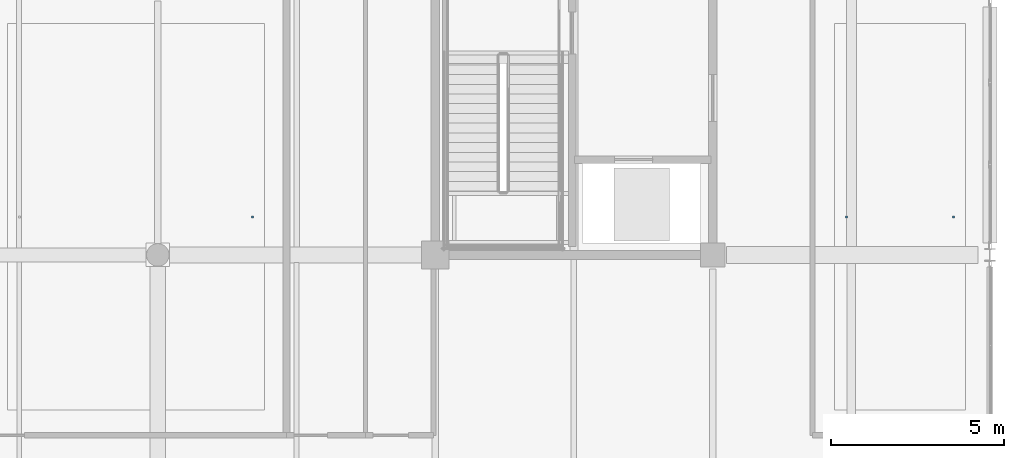
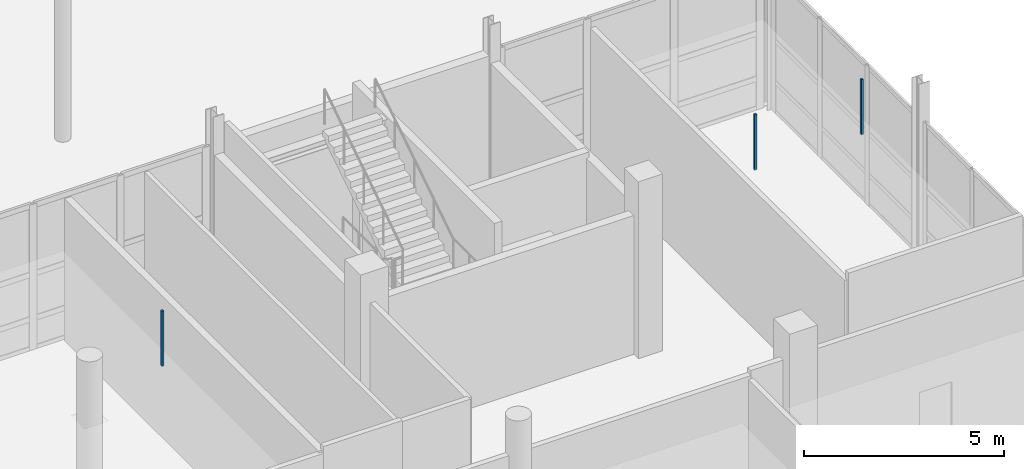
# One storey, part 95 of 126: 3 discrete accessories.
"""IFC4 building model written with IfcOpenShell, lengths in metres."""

from ifc_helpers import new_model, si_unit, direction, frame, origin, origin_2d, place, context, subcontext, project, spatial, rectangle, extrude, material, type_object, element, save


model = new_model("IFC4")

# Units and contexts
model_context = context("Model", 3, precision=1e-05, world=origin(), true_north=direction((0.0, 1.0)))
body_context = subcontext(model_context, "Body", "Model", "MODEL_VIEW")
ifc_project = project(units=[si_unit("LENGTHUNIT", "METRE"), si_unit("AREAUNIT", "SQUARE_METRE"), si_unit("VOLUMEUNIT", "CUBIC_METRE"), si_unit("PLANEANGLEUNIT", "RADIAN"), si_unit("MASSUNIT", "GRAM", prefix="KILO")], contexts=[model_context])

# Site, building, storey
site_placement = place(None, origin())
site = spatial("IfcSite", under=ifc_project, at=site_placement, CompositionType="ELEMENT")
building_placement = place(site_placement, origin())
building = spatial("IfcBuilding", under=site, at=building_placement, Name="Khelvaren Railside Concert Hall", CompositionType="ELEMENT")
storey_placement = place(building_placement, origin())
storey = spatial("IfcBuildingStorey", under=building, at=storey_placement, Name="L00", CompositionType="ELEMENT", Elevation=0.0)

# Discrete accessories
ifc_material = material(Name="Galvanised steel acoustic ceiling hanger rod", Category="steel")
discrete_accessory_type = type_object("IfcDiscreteAccessoryType", Name="BRK62", PredefinedType="BRACKET", material=ifc_material)
for number, where, z_axis, x_axis, name in (
    (1, (162.73291015625, 31.5, 3.429931640625), (0.0, 0.0, 1.0), (1.0, 0.0, 0.0), "Acoustic Ceiling Suspension Bracket 40-2"),
    (2, (179.860107421875, 31.5, 3.429931640625), (0.0, 0.0, 1.0), (1.0, 0.0, 0.0), "Acoustic Ceiling Suspension Bracket 41-1"),
    (3, (182.93994140625, 31.5, 3.429931640625), (0.0, 0.0, 1.0), (1.0, 0.0, 0.0), "Acoustic Ceiling Suspension Bracket 41-2"),
):
    element("IfcDiscreteAccessory", number, at=place(storey_placement, frame(where, z_axis=z_axis, x_axis=x_axis)), inside=storey, type_object=discrete_accessory_type, Name=name, PredefinedType="BRACKET", context=body_context, shape_type="SweptSolid", body=[
        extrude(rectangle(XDim=0.06005859375, YDim=0.06005859375, at=origin_2d()), origin(), (0.0, 0.0, 1.0), 1.68994140625),
    ])

save(model, "model.ifc")
